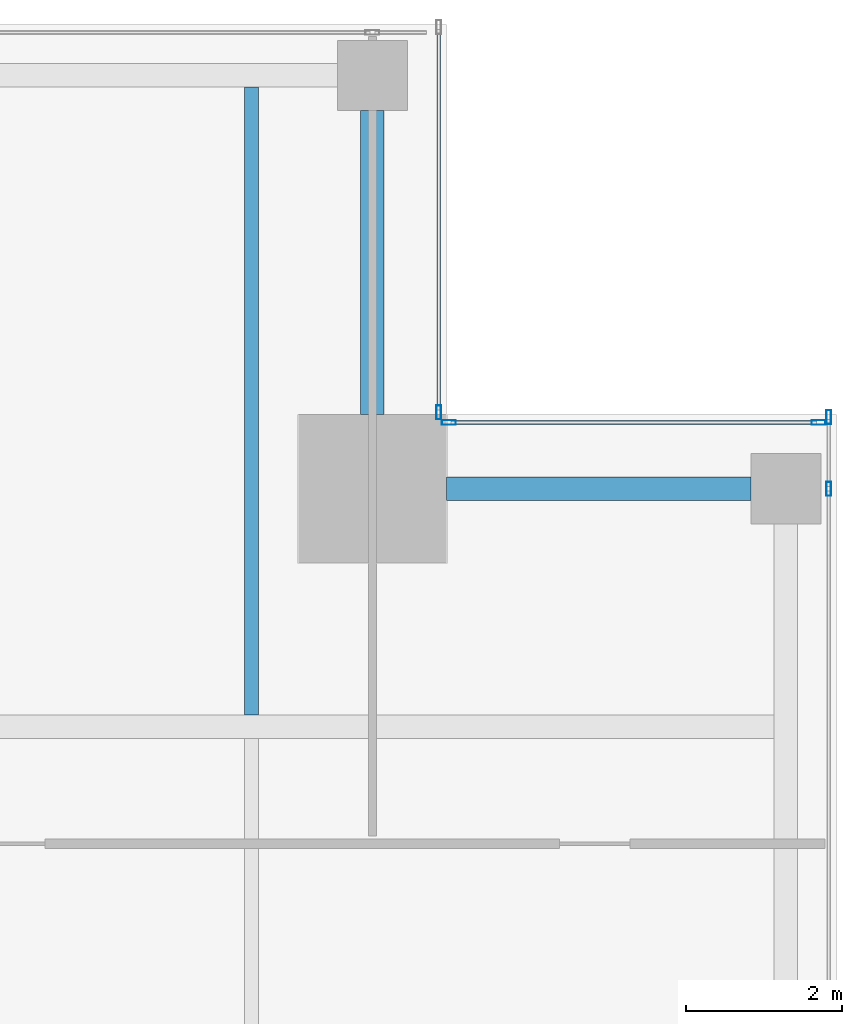
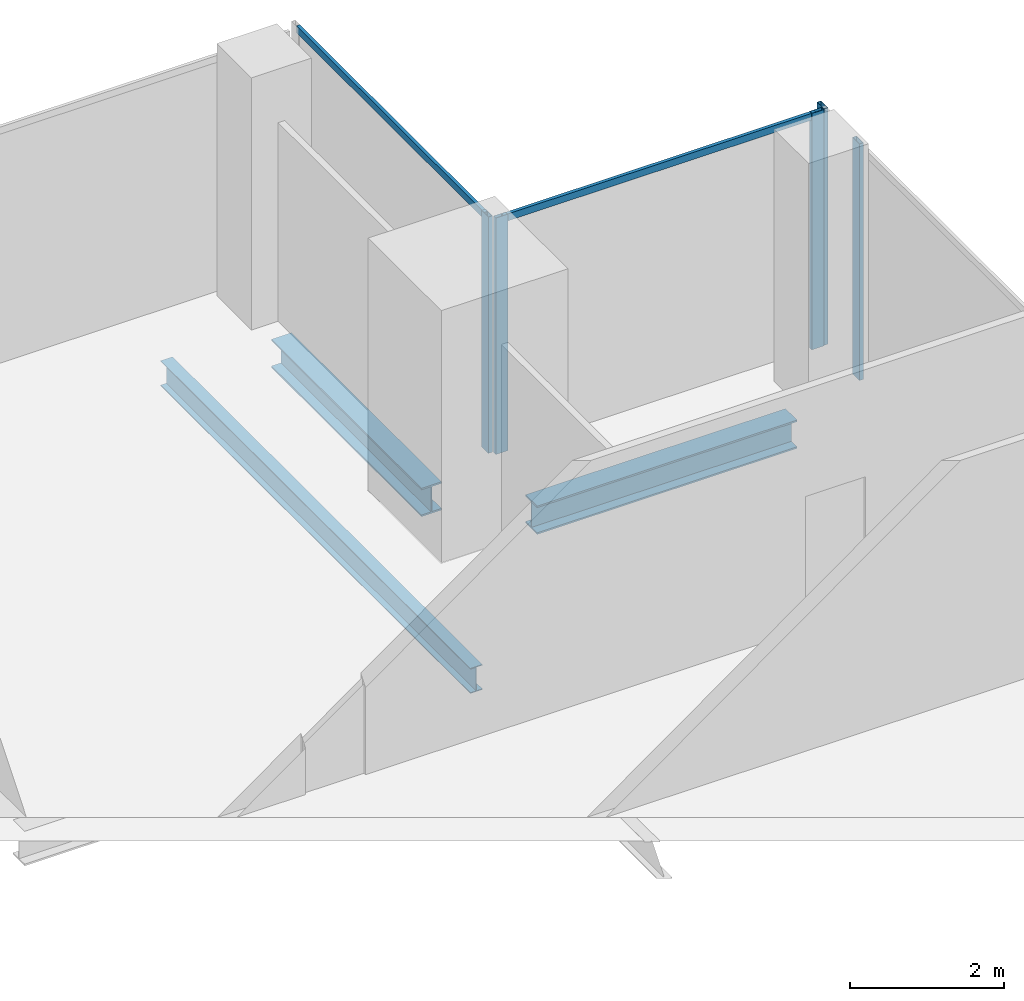
# One storey, part 22 of 35: 7 members, 3 beams, 3 elements without a shape of their own.
"""IFC4 building model written with IfcOpenShell, lengths in metres."""

from ifc_helpers import new_model, si_unit, direction, frame, origin, origin_2d, place, context, subcontext, project, spatial, hollow_rectangle, i_section, extrude, source, transform, mapped, material, material_profile, profile_set, type_object, element, aggregate, save


model = new_model("IFC4")

# Units and contexts
model_context = context("Model", 3, precision=1e-05, world=origin(), true_north=direction((0.0, 1.0)))
body_context = subcontext(model_context, "Body", "Model", "MODEL_VIEW")
ifc_project = project(units=[si_unit("LENGTHUNIT", "METRE"), si_unit("AREAUNIT", "SQUARE_METRE"), si_unit("VOLUMEUNIT", "CUBIC_METRE"), si_unit("PLANEANGLEUNIT", "RADIAN"), si_unit("MASSUNIT", "GRAM", prefix="KILO")], contexts=[model_context])

# Site, building, storey
site_placement = place(None, origin())
site = spatial("IfcSite", under=ifc_project, at=site_placement, CompositionType="ELEMENT")
building_placement = place(site_placement, origin())
building = spatial("IfcBuilding", under=site, at=building_placement, Name="Khomas Fold Tower", CompositionType="ELEMENT")
storey_placement = place(building_placement, frame((0.0, 0.0, 270.199951171875)))
storey = spatial("IfcBuildingStorey", under=building, at=storey_placement, Name="L61", CompositionType="ELEMENT", Elevation=270.199951171875)

# Beams
ifc_material_1 = material(Name="Steel S355", Category="steel")
ifc_material_profile_1 = material_profile(ifc_material_1, i_section(OverallWidth=0.300048828125, OverallDepth=0.449951171875, WebThickness=0.013916015625, FlangeThickness=0.02587890625, at=origin_2d()), Name="HE 450 B")
ifc_profile_set_1 = profile_set([ifc_material_profile_1], Name="Steel S355")
beam_type_1 = type_object("IfcBeamType", Name="HE 450 B spandrel SB4", PredefinedType="SPANDREL", material=ifc_profile_set_1)
shared_shape_1 = source(origin(), body_context, "Body", "SweptSolid", [
    extrude(i_section(OverallWidth=0.300048828125, OverallDepth=0.449951171875, WebThickness=0.013916015625, FlangeThickness=0.02587890625, at=origin_2d()), origin(), (0.0, 0.0, 1.0), 3.89990234375),
])
for number, where, z_axis, x_axis, name in (
    (1, (44.5, 43.550048828125, -0.474853515625), (1.0, 0.0, 0.0), (0.0, 1.0, 0.0), "SB4"),
    (2, (43.550048828125, 44.5, -0.474853515625), (0.0, 1.0, 0.0), (-1.0, 0.0, 0.0), "SB4"),
):
    element("IfcBeam", number, at=place(storey_placement, frame(where, z_axis=z_axis, x_axis=x_axis)), inside=storey, type_object=beam_type_1, Name=name, PredefinedType="SPANDREL", context=body_context, shape_type="MappedRepresentation", body=[
        mapped(shared_shape_1, transform((0.0, 0.0, 0.0))),
    ])
ifc_material_2 = material(Name="Steel S355", Category="steel")
ifc_material_profile_2 = material_profile(ifc_material_2, i_section(OverallWidth=0.179931640625, OverallDepth=0.39990234375, WebThickness=0.008544921875, FlangeThickness=0.013427734375, at=origin_2d()), Name="IPE 400")
ifc_profile_set_2 = profile_set([ifc_material_profile_2], Name="Steel S355")
beam_type_2 = type_object("IfcBeamType", Name="IPE 400 beam JB3", PredefinedType="BEAM", material=ifc_profile_set_2)
shared_shape_2 = source(origin(), body_context, "Body", "SweptSolid", [
    extrude(i_section(OverallWidth=0.179931640625, OverallDepth=0.39990234375, WebThickness=0.008544921875, FlangeThickness=0.013427734375, at=origin_2d()), origin(), (0.0, 0.0, 1.0), 8.050048828125),
])
beam_placement = place(storey_placement, frame((42.0, 40.64990234375, -0.449951171875), z_axis=(0.0, 1.0, 0.0), x_axis=(-1.0, 0.0, 0.0)))
element("IfcBeam", 3, at=beam_placement, inside=storey, type_object=beam_type_2, Name="JB3", PredefinedType="BEAM", context=body_context, shape_type="MappedRepresentation", body=[
    mapped(shared_shape_2, transform((0.0, 0.0, 0.0))),
])

# Curtain wall, members
ifc_material_3 = material(Name="Aluminium framed double glazing", Category="aluminium")
curtain_wall_type = type_object("IfcCurtainWallType", Name="SK-Unitised clear-glass wall, office floors CW2", PredefinedType="NOTDEFINED", material=ifc_material_3)
curtain_wall_1_placement = place(storey_placement, origin())
curtain_wall_1 = element("IfcCurtainWall", 4, at=curtain_wall_1_placement, inside=storey, type_object=curtain_wall_type, Name="CW2 run L61 03-0", PredefinedType="NOTDEFINED")
ifc_material_4 = material(Name="Aluminium", Category="aluminium")
ifc_material_profile_3 = material_profile(ifc_material_4, hollow_rectangle(XDim=0.06005859375, YDim=0.179931640625, WallThickness=0.00390625, at=origin_2d()), Name="SK-Unitised clear-glass wall, office floors mullion CW2-M")
ifc_profile_set_3 = profile_set([ifc_material_profile_3], Name="Aluminium")
member_type_1 = type_object("IfcMemberType", Name="SK-Unitised clear-glass wall, office floors mullion CW2-M", PredefinedType="MULLION", material=ifc_profile_set_3)
shared_shape_3 = source(origin(), body_context, "Body", "SweptSolid", [
    extrude(hollow_rectangle(XDim=0.06005859375, YDim=0.179931640625, WallThickness=0.00390625, at=origin_2d()), origin(), (0.0, 0.0, 1.0), 3.75),
])
member_1_placement = place(storey_placement, frame((49.39990234375, 43.550048828125, 0.0), z_axis=(0.0, 0.0, 1.0), x_axis=(-1.0, 0.0, 0.0)))
member_1 = element("IfcMember", 5, at=member_1_placement, type_object=member_type_1, Name="CW2 mullion 6", PredefinedType="MULLION", context=body_context, shape_type="MappedRepresentation", body=[
    mapped(shared_shape_3, transform((0.0, 0.0, 0.0))),
])
member_2_placement = place(storey_placement, frame((49.39990234375, 44.469970703125, 0.0), z_axis=(0.0, 0.0, 1.0), x_axis=(-1.0, 0.0, 0.0)))
member_2 = element("IfcMember", 6, at=member_2_placement, type_object=member_type_1, Name="CW2 mullion 7", PredefinedType="MULLION", context=body_context, shape_type="MappedRepresentation", body=[
    mapped(shared_shape_3, transform((0.0, 0.0, 0.0))),
])
aggregate(curtain_wall_1, [member_1, member_2])

curtain_wall_2_placement = place(storey_placement, origin())
curtain_wall_2 = element("IfcCurtainWall", 7, at=curtain_wall_2_placement, inside=storey, type_object=curtain_wall_type, Name="CW2 corner return L61 04", PredefinedType="NOTDEFINED")
member_3_placement = place(storey_placement, frame((49.27001953125, 44.39990234375, 0.0), z_axis=(0.0, 0.0, 1.0), x_axis=(0.0, -1.0, 0.0)))
member_3 = element("IfcMember", 8, at=member_3_placement, type_object=member_type_1, Name="CW2 mullion 1", PredefinedType="MULLION", context=body_context, shape_type="MappedRepresentation", body=[
    mapped(shared_shape_3, transform((0.0, 0.0, 0.0))),
])
member_4_placement = place(storey_placement, frame((44.530029296875, 44.39990234375, 0.0), z_axis=(0.0, 0.0, 1.0), x_axis=(0.0, -1.0, 0.0)))
member_4 = element("IfcMember", 9, at=member_4_placement, type_object=member_type_1, Name="CW2 mullion 2", PredefinedType="MULLION", context=body_context, shape_type="MappedRepresentation", body=[
    mapped(shared_shape_3, transform((0.0, 0.0, 0.0))),
])

# Curtain wall, member
curtain_wall_3_placement = place(storey_placement, origin())
curtain_wall_3 = element("IfcCurtainWall", 10, at=curtain_wall_3_placement, inside=storey, type_object=curtain_wall_type, Name="CW2 corner return L61 05", PredefinedType="NOTDEFINED")
member_5_placement = place(storey_placement, frame((44.39990234375, 44.530029296875, 0.0), z_axis=(0.0, 0.0, 1.0), x_axis=(-1.0, 0.0, 0.0)))
member_5 = element("IfcMember", 11, at=member_5_placement, type_object=member_type_1, Name="CW2 mullion 1", PredefinedType="MULLION", context=body_context, shape_type="MappedRepresentation", body=[
    mapped(shared_shape_3, transform((0.0, 0.0, 0.0))),
])

# Member
ifc_material_5 = material(Name="Aluminium", Category="aluminium")
ifc_material_profile_4 = material_profile(ifc_material_5, hollow_rectangle(XDim=0.050048828125, YDim=0.110107421875, WallThickness=0.00390625, at=origin_2d()), Name="SK-Unitised clear-glass wall, office floors transom CW2-T")
ifc_profile_set_4 = profile_set([ifc_material_profile_4], Name="Aluminium")
member_type_2 = type_object("IfcMemberType", Name="SK-Unitised clear-glass wall, office floors transom CW2-T", PredefinedType="USERDEFINED", material=ifc_profile_set_4)
shared_shape_4 = source(origin(), body_context, "Body", "SweptSolid", [
    extrude(hollow_rectangle(XDim=0.050048828125, YDim=0.110107421875, WallThickness=0.00390625, at=origin_2d()), origin(), (0.0, 0.0, 1.0), 4.679931640625),
])
member_6_placement = place(storey_placement, frame((49.239990234375, 44.39990234375, 3.695068359375), z_axis=(-1.0, 0.0, 0.0), x_axis=(0.0, -1.0, 0.0)))
member_6 = element("IfcMember", 12, at=member_6_placement, type_object=member_type_2, Name="CW2 transom 1", ObjectType="TRANSOM", PredefinedType="USERDEFINED", context=body_context, shape_type="MappedRepresentation", body=[
    mapped(shared_shape_4, transform((0.0, 0.0, 0.0))),
])

aggregate(curtain_wall_2, [member_3, member_4, member_6])

shared_shape_5 = source(origin(), body_context, "Body", "SweptSolid", [
    extrude(hollow_rectangle(XDim=0.050048828125, YDim=0.110107421875, WallThickness=0.00390625, at=origin_2d()), origin(), (0.0, 0.0, 1.0), 4.8798828125),
])
member_7_placement = place(storey_placement, frame((44.39990234375, 44.56005859375, 3.695068359375), z_axis=(0.0, 1.0, 0.0), x_axis=(-1.0, 0.0, 0.0)))
member_7 = element("IfcMember", 13, at=member_7_placement, type_object=member_type_2, Name="CW2 transom 1", ObjectType="TRANSOM", PredefinedType="USERDEFINED", context=body_context, shape_type="MappedRepresentation", body=[
    mapped(shared_shape_5, transform((0.0, 0.0, 0.0))),
])

aggregate(curtain_wall_3, [member_5, member_7])

save(model, "model.ifc")
